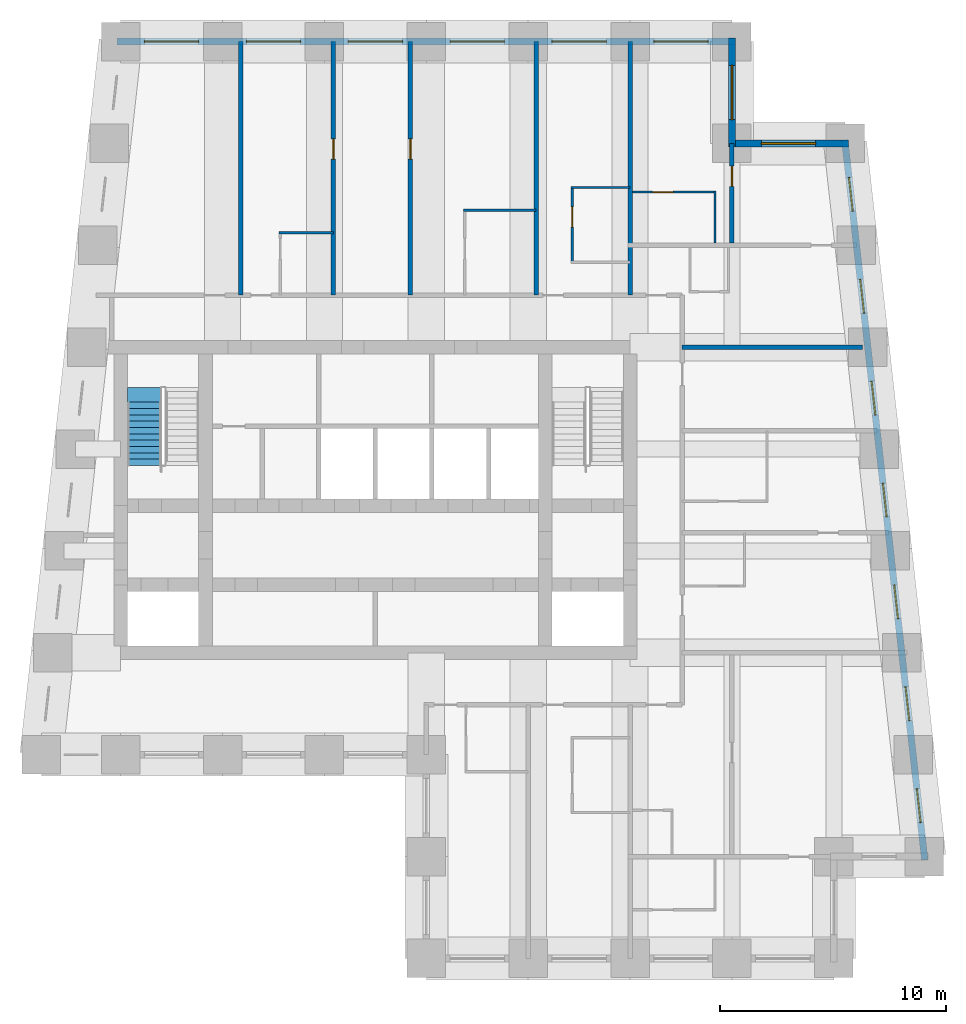
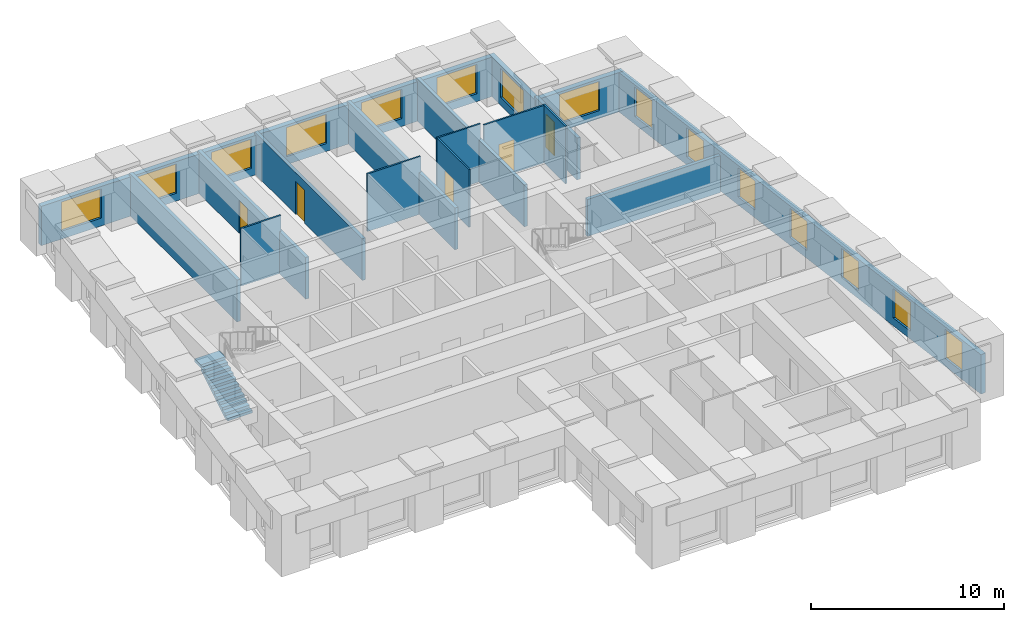
# One storey, part 5 of 7: 17 walls, 15 windows, 5 doors, 1 stair flight, 20 openings, 1 element without a shape of its own.
"""IFC4 building model written with IfcOpenShell, lengths in metres."""

from ifc_helpers import new_model, si_unit, direction, frame, frame_2d, origin, place, context, subcontext, project, spatial, polyline, rectangle, outline, extrude, material, layer, layer_set, type_object, element, fill, aggregate, save


model = new_model("IFC4")

# Units and contexts
model_context = context("Model", 3, precision=1e-05, world=origin(), true_north=direction((0.0, 1.0)))
body_context = subcontext(model_context, "Body", "Model", "MODEL_VIEW")
ifc_project = project(units=[si_unit("LENGTHUNIT", "METRE"), si_unit("AREAUNIT", "SQUARE_METRE"), si_unit("VOLUMEUNIT", "CUBIC_METRE"), si_unit("PLANEANGLEUNIT", "RADIAN"), si_unit("MASSUNIT", "GRAM", prefix="KILO")], contexts=[model_context])

# Site, building, storey
site_placement = place(None, origin())
site = spatial("IfcSite", under=ifc_project, at=site_placement, CompositionType="ELEMENT")
building_placement = place(site_placement, origin())
building = spatial("IfcBuilding", under=site, at=building_placement, Name="Kilele Tower Hotel", CompositionType="ELEMENT")
storey_placement = place(building_placement, frame((0.0, 0.0, 229.10009765625)))
storey = spatial("IfcBuildingStorey", under=building, at=storey_placement, Name="L59", CompositionType="ELEMENT", Elevation=229.10009765625)

# Walls
ifc_material_1 = material(Name="Moisture-resistant board")
ifc_layer_1 = layer(ifc_material_1, 0.10009765625)
ifc_layer_set_1 = layer_set([ifc_layer_1], Name="Moisture-resistant board")
wall_type_1 = type_object("IfcWallType", Name="Bathroom partition 100", PredefinedType="PLUMBINGWALL", material=ifc_layer_set_1)
wall_1_placement = place(storey_placement, frame((20.5, 32.050048828125, 0.0), z_axis=(0.0, 0.0, 1.0), x_axis=(1.0, 0.0, 0.0)))
element("IfcWall", 1, at=wall_1_placement, inside=storey, type_object=wall_type_1, Name="Bathroom partition 100 L59", PredefinedType="PLUMBINGWALL", context=body_context, shape_type="SweptSolid", body=[
    extrude(rectangle(XDim=2.39990234375, YDim=0.10009765625, at=frame_2d((1.199951171875, 0.0))), origin(), (0.0, 0.0, 1.0), 3.64990234375),
])
wall_2_placement = place(storey_placement, frame((28.64990234375, 33.050048828125, 0.0), z_axis=(0.0, 0.0, 1.0), x_axis=(1.0, 0.0, 0.0)))
element("IfcWall", 2, at=wall_2_placement, inside=storey, type_object=wall_type_1, Name="Bathroom partition 100 L59", PredefinedType="PLUMBINGWALL", context=body_context, shape_type="SweptSolid", body=[
    extrude(rectangle(XDim=3.2001953125, YDim=0.10009765625, at=frame_2d((1.60009765625, 0.0))), origin(), (0.0, 0.0, 1.0), 3.64990234375),
])
wall_3_placement = place(storey_placement, frame((33.39990234375, 34.050048828125, 0.0), z_axis=(0.0, 0.0, 1.0), x_axis=(1.0, 0.0, 0.0)))
element("IfcWall", 3, at=wall_3_placement, inside=storey, type_object=wall_type_1, Name="Bathroom partition 100 L59", PredefinedType="PLUMBINGWALL", context=body_context, shape_type="SweptSolid", body=[
    extrude(rectangle(XDim=2.60009765625, YDim=0.10009765625, at=frame_2d((1.300048828125, 0.0))), origin(), (0.0, 0.0, 1.0), 3.64990234375),
])

# Wall, opening, door
wall_4_placement = place(storey_placement, frame((33.449951171875, 30.699951171875, 0.0), z_axis=(0.0, 0.0, 1.0), x_axis=(0.0, 1.0, 0.0)))
wall_4 = element("IfcWall", 4, at=wall_4_placement, inside=storey, type_object=wall_type_1, Name="Bathroom partition 100 L59", PredefinedType="PLUMBINGWALL", context=body_context, shape_type="SweptSolid", body=[
    extrude(rectangle(XDim=3.400146484375, YDim=0.10009765625, at=frame_2d((1.7001953125, 0.0))), origin(), (0.0, 0.0, 1.0), 3.64990234375),
])
opening_1_placement = place(wall_4_placement, frame((1.60009765625, 0.0, 0.0)))
opening_1 = element("IfcOpeningElement", 5, at=opening_1_placement, cuts=wall_4, Name="Opening D2A", PredefinedType="OPENING", context=body_context, shape_type="SweptSolid", body=[
    extrude(rectangle(XDim=0.89990234375, YDim=2.10009765625, at=frame_2d((0.449951171875, 1.050048828125))), frame((0.0, 0.06005859375, 0.0), z_axis=(0.0, -1.0, 0.0), x_axis=(1.0, 0.0, 0.0)), (0.0, 0.0, 1.0), 0.1201171875),
])
ifc_material_2 = material(Name="Timber door leaf in hardwood frame", Category="wood")
door_type_1 = type_object("IfcDoorType", Name="Bathroom door 900", OperationType="SINGLE_SWING_LEFT", PredefinedType="DOOR", material=ifc_material_2)
door_1_placement = place(opening_1_placement, origin())
door_1 = element("IfcDoor", 6, at=door_1_placement, inside=storey, type_object=door_type_1, Name="Bathroom door 5911B", OperationType="SINGLE_SWING_RIGHT", OverallHeight=2.10009765625, OverallWidth=0.89990234375, PredefinedType="DOOR", context=body_context, shape_type="SweptSolid", body=[
    extrude(rectangle(XDim=0.89990234375, YDim=2.10009765625, at=frame_2d((0.449951171875, 1.050048828125))), frame((0.0, 0.02490234375, 0.0), z_axis=(0.0, -1.0, 0.0), x_axis=(1.0, 0.0, 0.0)), (0.0, 0.0, 1.0), 0.050048828125),
])
fill(opening_1, door_1)

# Wall
wall_5_placement = place(storey_placement, frame((39.75, 31.60009765625, 0.0), z_axis=(0.0, 0.0, 1.0), x_axis=(0.0, 1.0, 0.0)))
element("IfcWall", 7, at=wall_5_placement, inside=storey, type_object=wall_type_1, Name="Bathroom partition 100 L59", PredefinedType="PLUMBINGWALL", context=body_context, shape_type="SweptSolid", body=[
    extrude(rectangle(XDim=2.2998046875, YDim=0.10009765625, at=frame_2d((1.14990234375, 0.0))), origin(), (0.0, 0.0, 1.0), 3.64990234375),
])

# Wall, opening, door
wall_6_placement = place(storey_placement, frame((36.10009765625, 33.85009765625, 0.0), z_axis=(0.0, 0.0, 1.0), x_axis=(1.0, 0.0, 0.0)))
wall_6 = element("IfcWall", 8, at=wall_6_placement, inside=storey, type_object=wall_type_1, Name="Bathroom partition 100 L59", PredefinedType="PLUMBINGWALL", context=body_context, shape_type="SweptSolid", body=[
    extrude(rectangle(XDim=3.699951171875, YDim=0.10009765625, at=frame_2d((1.85009765625, 0.0))), origin(), (0.0, 0.0, 1.0), 3.64990234375),
])
opening_2_placement = place(wall_6_placement, frame((0.89990234375, 0.0, 0.0)))
opening_2 = element("IfcOpeningElement", 9, at=opening_2_placement, cuts=wall_6, Name="Opening D2A", PredefinedType="OPENING", context=body_context, shape_type="SweptSolid", body=[
    extrude(rectangle(XDim=0.89990234375, YDim=2.10009765625, at=frame_2d((0.449951171875, 1.050048828125))), frame((0.0, 0.06005859375, 0.0), z_axis=(0.0, -1.0, 0.0), x_axis=(1.0, 0.0, 0.0)), (0.0, 0.0, 1.0), 0.1201171875),
])
door_2_placement = place(opening_2_placement, origin())
door_2 = element("IfcDoor", 10, at=door_2_placement, inside=storey, type_object=door_type_1, Name="Bathroom door 5916B", OperationType="SINGLE_SWING_LEFT", OverallHeight=2.10009765625, OverallWidth=0.89990234375, PredefinedType="DOOR", context=body_context, shape_type="SweptSolid", body=[
    extrude(rectangle(XDim=0.89990234375, YDim=2.10009765625, at=frame_2d((0.449951171875, 1.050048828125))), frame((0.0, 0.02490234375, 0.0), z_axis=(0.0, -1.0, 0.0), x_axis=(1.0, 0.0, 0.0)), (0.0, 0.0, 1.0), 0.050048828125),
])
fill(opening_2, door_2)

ifc_material_3 = material(Name="Blockwork, plastered both sides", Category="masonry")
ifc_layer_2 = layer(ifc_material_3, 0.199951171875)
ifc_layer_set_2 = layer_set([ifc_layer_2], Name="Blockwork, plastered both sides")
wall_type_2 = type_object("IfcWallType", Name="Partition wall 200", PredefinedType="PARTITIONING", material=ifc_layer_set_2)
wall_7_placement = place(storey_placement, frame((40.5, 31.60009765625, 0.0), z_axis=(0.0, 0.0, 1.0), x_axis=(0.0, 1.0, 0.0)))
wall_7 = element("IfcWall", 11, at=wall_7_placement, inside=storey, type_object=wall_type_2, Name="Partition wall 200 L59", PredefinedType="PARTITIONING", context=body_context, shape_type="SweptSolid", body=[
    extrude(rectangle(XDim=4.39990234375, YDim=0.199951171875, at=frame_2d((2.199951171875, 0.0))), origin(), (0.0, 0.0, 1.0), 2.64990234375),
])
opening_3_placement = place(wall_7_placement, frame((2.5, 0.0, 0.0)))
opening_3 = element("IfcOpeningElement", 12, at=opening_3_placement, cuts=wall_7, Name="Opening D3", PredefinedType="OPENING", context=body_context, shape_type="SweptSolid", body=[
    extrude(rectangle(XDim=0.89990234375, YDim=2.10009765625, at=frame_2d((0.449951171875, 1.050048828125))), frame((0.0, 0.10986328125, 0.0), z_axis=(0.0, -1.0, 0.0), x_axis=(1.0, 0.0, 0.0)), (0.0, 0.0, 1.0), 0.219970703125),
])
ifc_material_4 = material(Name="Timber door leaf in hardwood frame", Category="wood")
door_type_2 = type_object("IfcDoorType", Name="Suite internal door 900", OperationType="SINGLE_SWING_LEFT", PredefinedType="DOOR", material=ifc_material_4)
door_3_placement = place(opening_3_placement, origin())
door_3 = element("IfcDoor", 13, at=door_3_placement, inside=storey, type_object=door_type_2, Name="Suite door 5917", OperationType="SINGLE_SWING_LEFT", OverallHeight=2.10009765625, OverallWidth=0.89990234375, PredefinedType="DOOR", context=body_context, shape_type="SweptSolid", body=[
    extrude(rectangle(XDim=0.89990234375, YDim=2.10009765625, at=frame_2d((0.449951171875, 1.050048828125))), frame((0.0, 0.02490234375, 0.0), z_axis=(0.0, -1.0, 0.0), x_axis=(1.0, 0.0, 0.0)), (0.0, 0.0, 1.0), 0.050048828125),
])
fill(opening_3, door_3)

# Wall
ifc_material_5 = material(Name="Blockwork, plastered both sides", Category="masonry")
ifc_layer_3 = layer(ifc_material_5, 0.199951171875)
ifc_layer_set_3 = layer_set([ifc_layer_3], Name="Blockwork, plastered both sides")
wall_type_3 = type_object("IfcWallType", Name="Party wall 200", PredefinedType="PARTITIONING", material=ifc_layer_set_3)
wall_8_placement = place(storey_placement, frame((18.800048828125, 29.300048828125, 0.0), z_axis=(0.0, 0.0, 1.0), x_axis=(0.0, 1.0, 0.0)))
element("IfcWall", 14, at=wall_8_placement, inside=storey, type_object=wall_type_3, Name="Party wall 200 L59", PredefinedType="PARTITIONING", context=body_context, shape_type="SweptSolid", body=[
    extrude(rectangle(XDim=11.199951171875, YDim=0.199951171875, at=frame_2d((5.60009765625, 0.0))), origin(), (0.0, 0.0, 1.0), 2.64990234375),
])

# Wall, opening, door
wall_9_placement = place(storey_placement, frame((22.89990234375, 29.300048828125, 0.0), z_axis=(0.0, 0.0, 1.0), x_axis=(0.0, 1.0, 0.0)))
wall_9 = element("IfcWall", 15, at=wall_9_placement, inside=storey, type_object=wall_type_3, Name="Party wall 200 L59", PredefinedType="PARTITIONING", context=body_context, shape_type="SweptSolid", body=[
    extrude(rectangle(XDim=11.199951171875, YDim=0.199951171875, at=frame_2d((5.60009765625, 0.0))), origin(), (0.0, 0.0, 1.0), 2.64990234375),
])
opening_4_placement = place(wall_9_placement, frame((6.0, 0.0, 0.0)))
opening_4 = element("IfcOpeningElement", 16, at=opening_4_placement, cuts=wall_9, Name="Opening D3", PredefinedType="OPENING", context=body_context, shape_type="SweptSolid", body=[
    extrude(rectangle(XDim=0.89990234375, YDim=2.10009765625, at=frame_2d((0.449951171875, 1.050048828125))), frame((0.0, 0.10986328125, 0.0), z_axis=(0.0, -1.0, 0.0), x_axis=(1.0, 0.0, 0.0)), (0.0, 0.0, 1.0), 0.219970703125),
])
door_4_placement = place(opening_4_placement, origin())
door_4 = element("IfcDoor", 17, at=door_4_placement, inside=storey, type_object=door_type_2, Name="Suite door 5909", OperationType="SINGLE_SWING_RIGHT", OverallHeight=2.10009765625, OverallWidth=0.89990234375, PredefinedType="DOOR", context=body_context, shape_type="SweptSolid", body=[
    extrude(rectangle(XDim=0.89990234375, YDim=2.10009765625, at=frame_2d((0.449951171875, 1.050048828125))), frame((0.0, 0.02490234375, 0.0), z_axis=(0.0, -1.0, 0.0), x_axis=(1.0, 0.0, 0.0)), (0.0, 0.0, 1.0), 0.050048828125),
])
fill(opening_4, door_4)

wall_10_placement = place(storey_placement, frame((26.300048828125, 29.300048828125, 0.0), z_axis=(0.0, 0.0, 1.0), x_axis=(0.0, 1.0, 0.0)))
wall_10 = element("IfcWall", 18, at=wall_10_placement, inside=storey, type_object=wall_type_3, Name="Party wall 200 L59", PredefinedType="PARTITIONING", context=body_context, shape_type="SweptSolid", body=[
    extrude(rectangle(XDim=11.199951171875, YDim=0.199951171875, at=frame_2d((5.60009765625, 0.0))), origin(), (0.0, 0.0, 1.0), 2.64990234375),
])
opening_5_placement = place(wall_10_placement, frame((6.0, 0.0, 0.0)))
opening_5 = element("IfcOpeningElement", 19, at=opening_5_placement, cuts=wall_10, Name="Opening D3", PredefinedType="OPENING", context=body_context, shape_type="SweptSolid", body=[
    extrude(rectangle(XDim=0.89990234375, YDim=2.10009765625, at=frame_2d((0.449951171875, 1.050048828125))), frame((0.0, 0.10986328125, 0.0), z_axis=(0.0, -1.0, 0.0), x_axis=(1.0, 0.0, 0.0)), (0.0, 0.0, 1.0), 0.219970703125),
])
door_5_placement = place(opening_5_placement, origin())
door_5 = element("IfcDoor", 20, at=door_5_placement, inside=storey, type_object=door_type_2, Name="Suite door 5910", OperationType="SINGLE_SWING_RIGHT", OverallHeight=2.10009765625, OverallWidth=0.89990234375, PredefinedType="DOOR", context=body_context, shape_type="SweptSolid", body=[
    extrude(rectangle(XDim=0.89990234375, YDim=2.10009765625, at=frame_2d((0.449951171875, 1.050048828125))), frame((0.0, 0.02490234375, 0.0), z_axis=(0.0, -1.0, 0.0), x_axis=(1.0, 0.0, 0.0)), (0.0, 0.0, 1.0), 0.050048828125),
])
fill(opening_5, door_5)

# Walls
wall_11_placement = place(storey_placement, frame((31.85009765625, 29.300048828125, 0.0), z_axis=(0.0, 0.0, 1.0), x_axis=(0.0, 1.0, 0.0)))
element("IfcWall", 21, at=wall_11_placement, inside=storey, type_object=wall_type_3, Name="Party wall 200 L59", PredefinedType="PARTITIONING", context=body_context, shape_type="SweptSolid", body=[
    extrude(rectangle(XDim=11.199951171875, YDim=0.199951171875, at=frame_2d((5.60009765625, 0.0))), origin(), (0.0, 0.0, 1.0), 2.64990234375),
])
wall_12_placement = place(storey_placement, frame((38.300048828125, 27.0, 0.0), z_axis=(0.0, 0.0, 1.0), x_axis=(1.0, 0.0, 0.0)))
element("IfcWall", 22, at=wall_12_placement, inside=storey, type_object=wall_type_3, Name="Party wall 200 L59", PredefinedType="PARTITIONING", context=body_context, shape_type="SweptSolid", body=[
    extrude(rectangle(XDim=7.976806640625, YDim=0.199951171875, at=frame_2d((3.98828125, 0.0))), origin(), (0.0, 0.0, 1.0), 2.349853515625),
])
wall_13_placement = place(storey_placement, frame((36.0, 29.300048828125, 0.0), z_axis=(0.0, 0.0, 1.0), x_axis=(0.0, 1.0, 0.0)))
element("IfcWall", 23, at=wall_13_placement, inside=storey, type_object=wall_type_3, Name="Party wall 200 L59", PredefinedType="PARTITIONING", context=body_context, shape_type="SweptSolid", body=[
    extrude(rectangle(XDim=11.199951171875, YDim=0.199951171875, at=frame_2d((5.60009765625, 0.0))), origin(), (0.0, 0.0, 1.0), 2.64990234375),
])

# Wall, openings, windows
ifc_material_6 = material(Name="Concrete C40/50 precast", Category="concrete")
ifc_layer_4 = layer(ifc_material_6, 0.260009765625, Name="Precast backing", Category="LoadBearing")
ifc_material_7 = material(Name="Reconstituted stone finish", Category="masonry")
ifc_layer_5 = layer(ifc_material_7, 0.0400390625, Name="Face mix", Category="Finish")
ifc_layer_set_4 = layer_set([ifc_layer_4, ifc_layer_5], Name="Precast concrete C40/50, reconstituted stone finish")
wall_type_4 = type_object("IfcWallType", Name="Precast stone facade wall 300", PredefinedType="STANDARD", material=ifc_layer_set_4)
wall_14_placement = place(storey_placement, frame((49.0166015625, 4.350830078125, 0.0), z_axis=(0.0, 0.0, 1.0), x_axis=(-0.110433201132, 0.993883548555, 0.0)))
wall_14 = element("IfcWall", 24, at=wall_14_placement, inside=storey, type_object=wall_type_4, Name="Facade wall L59 edge 6", PredefinedType="STANDARD", context=body_context, shape_type="SweptSolid", body=[
    extrude(rectangle(XDim=31.994140625, YDim=0.300048828125, at=frame_2d((15.9970703125, 0.0))), origin(), (0.0, 0.0, 1.0), 2.5),
])
opening_6_placement = place(wall_14_placement, frame((1.6640625, 0.0, 0.5)))
opening_6 = element("IfcOpeningElement", 25, at=opening_6_placement, cuts=wall_14, Name="Opening W4", PredefinedType="OPENING", context=body_context, shape_type="SweptSolid", body=[
    extrude(rectangle(XDim=1.5, YDim=1.85009765625, at=frame_2d((0.75, 0.925048828125))), frame((0.0, 0.159912109375, 0.0), z_axis=(0.0, -1.0, 0.0), x_axis=(1.0, 0.0, 0.0)), (0.0, 0.0, 1.0), 0.320068359375),
])
opening_7_placement = place(wall_14_placement, frame((6.19189453125, 0.0, 0.5)))
opening_7 = element("IfcOpeningElement", 26, at=opening_7_placement, cuts=wall_14, Name="Opening W4", PredefinedType="OPENING", context=body_context, shape_type="SweptSolid", body=[
    extrude(rectangle(XDim=1.5, YDim=1.85009765625, at=frame_2d((0.75, 0.925048828125))), frame((0.0, 0.159912109375, 0.0), z_axis=(0.0, -1.0, 0.0), x_axis=(1.0, 0.0, 0.0)), (0.0, 0.0, 1.0), 0.320068359375),
])
opening_8_placement = place(wall_14_placement, frame((10.718994140625, 0.0, 0.5)))
opening_8 = element("IfcOpeningElement", 27, at=opening_8_placement, cuts=wall_14, Name="Opening W4", PredefinedType="OPENING", context=body_context, shape_type="SweptSolid", body=[
    extrude(rectangle(XDim=1.5, YDim=1.85009765625, at=frame_2d((0.75, 0.925048828125))), frame((0.0, 0.159912109375, 0.0), z_axis=(0.0, -1.0, 0.0), x_axis=(1.0, 0.0, 0.0)), (0.0, 0.0, 1.0), 0.320068359375),
])
opening_9_placement = place(wall_14_placement, frame((15.2470703125, 0.0, 0.5)))
opening_9 = element("IfcOpeningElement", 28, at=opening_9_placement, cuts=wall_14, Name="Opening W4", PredefinedType="OPENING", context=body_context, shape_type="SweptSolid", body=[
    extrude(rectangle(XDim=1.5, YDim=1.85009765625, at=frame_2d((0.75, 0.925048828125))), frame((0.0, 0.159912109375, 0.0), z_axis=(0.0, -1.0, 0.0), x_axis=(1.0, 0.0, 0.0)), (0.0, 0.0, 1.0), 0.320068359375),
])
opening_10_placement = place(wall_14_placement, frame((19.77490234375, 0.0, 0.5)))
opening_10 = element("IfcOpeningElement", 29, at=opening_10_placement, cuts=wall_14, Name="Opening W4", PredefinedType="OPENING", context=body_context, shape_type="SweptSolid", body=[
    extrude(rectangle(XDim=1.5, YDim=1.85009765625, at=frame_2d((0.75, 0.925048828125))), frame((0.0, 0.159912109375, 0.0), z_axis=(0.0, -1.0, 0.0), x_axis=(1.0, 0.0, 0.0)), (0.0, 0.0, 1.0), 0.320068359375),
])
opening_11_placement = place(wall_14_placement, frame((24.302001953125, 0.0, 0.5)))
opening_11 = element("IfcOpeningElement", 30, at=opening_11_placement, cuts=wall_14, Name="Opening W4", PredefinedType="OPENING", context=body_context, shape_type="SweptSolid", body=[
    extrude(rectangle(XDim=1.5, YDim=1.85009765625, at=frame_2d((0.75, 0.925048828125))), frame((0.0, 0.159912109375, 0.0), z_axis=(0.0, -1.0, 0.0), x_axis=(1.0, 0.0, 0.0)), (0.0, 0.0, 1.0), 0.320068359375),
])
opening_12_placement = place(wall_14_placement, frame((28.830078125, 0.0, 0.5)))
opening_12 = element("IfcOpeningElement", 31, at=opening_12_placement, cuts=wall_14, Name="Opening W4", PredefinedType="OPENING", context=body_context, shape_type="SweptSolid", body=[
    extrude(rectangle(XDim=1.5, YDim=1.85009765625, at=frame_2d((0.75, 0.925048828125))), frame((0.0, 0.159912109375, 0.0), z_axis=(0.0, -1.0, 0.0), x_axis=(1.0, 0.0, 0.0)), (0.0, 0.0, 1.0), 0.320068359375),
])
ifc_material_8 = material(Name="Aluminium frame, clear double glazing", Category="aluminium")
window_type_1 = type_object("IfcWindowType", Name="Window W4 1500 x 1850", PartitioningType="SINGLE_PANEL", PredefinedType="WINDOW", material=ifc_material_8)
window_1_placement = place(opening_6_placement, origin())
window_1 = element("IfcWindow", 32, at=window_1_placement, inside=storey, type_object=window_type_1, Name="Window L59", OverallHeight=1.85009765625, OverallWidth=1.5, PartitioningType="SINGLE_PANEL", PredefinedType="WINDOW", context=body_context, shape_type="SweptSolid", body=[
    extrude(rectangle(XDim=1.5, YDim=1.85009765625, at=frame_2d((0.75, 0.925048828125))), frame((0.0, 0.030029296875, 0.0), z_axis=(0.0, -1.0, 0.0), x_axis=(1.0, 0.0, 0.0)), (0.0, 0.0, 1.0), 0.06005859375),
])
fill(opening_6, window_1)
window_2_placement = place(opening_7_placement, origin())
window_2 = element("IfcWindow", 33, at=window_2_placement, inside=storey, type_object=window_type_1, Name="Window L59", OverallHeight=1.85009765625, OverallWidth=1.5, PartitioningType="SINGLE_PANEL", PredefinedType="WINDOW", context=body_context, shape_type="SweptSolid", body=[
    extrude(rectangle(XDim=1.5, YDim=1.85009765625, at=frame_2d((0.75, 0.925048828125))), frame((0.0, 0.030029296875, 0.0), z_axis=(0.0, -1.0, 0.0), x_axis=(1.0, 0.0, 0.0)), (0.0, 0.0, 1.0), 0.06005859375),
])
fill(opening_7, window_2)
window_3_placement = place(opening_8_placement, origin())
window_3 = element("IfcWindow", 34, at=window_3_placement, inside=storey, type_object=window_type_1, Name="Window L59", OverallHeight=1.85009765625, OverallWidth=1.5, PartitioningType="SINGLE_PANEL", PredefinedType="WINDOW", context=body_context, shape_type="SweptSolid", body=[
    extrude(rectangle(XDim=1.5, YDim=1.85009765625, at=frame_2d((0.75, 0.925048828125))), frame((0.0, 0.030029296875, 0.0), z_axis=(0.0, -1.0, 0.0), x_axis=(1.0, 0.0, 0.0)), (0.0, 0.0, 1.0), 0.06005859375),
])
fill(opening_8, window_3)
window_4_placement = place(opening_9_placement, origin())
window_4 = element("IfcWindow", 35, at=window_4_placement, inside=storey, type_object=window_type_1, Name="Window L59", OverallHeight=1.85009765625, OverallWidth=1.5, PartitioningType="SINGLE_PANEL", PredefinedType="WINDOW", context=body_context, shape_type="SweptSolid", body=[
    extrude(rectangle(XDim=1.5, YDim=1.85009765625, at=frame_2d((0.75, 0.925048828125))), frame((0.0, 0.030029296875, 0.0), z_axis=(0.0, -1.0, 0.0), x_axis=(1.0, 0.0, 0.0)), (0.0, 0.0, 1.0), 0.06005859375),
])
fill(opening_9, window_4)
window_5_placement = place(opening_10_placement, origin())
window_5 = element("IfcWindow", 36, at=window_5_placement, inside=storey, type_object=window_type_1, Name="Window L59", OverallHeight=1.85009765625, OverallWidth=1.5, PartitioningType="SINGLE_PANEL", PredefinedType="WINDOW", context=body_context, shape_type="SweptSolid", body=[
    extrude(rectangle(XDim=1.5, YDim=1.85009765625, at=frame_2d((0.75, 0.925048828125))), frame((0.0, 0.030029296875, 0.0), z_axis=(0.0, -1.0, 0.0), x_axis=(1.0, 0.0, 0.0)), (0.0, 0.0, 1.0), 0.06005859375),
])
fill(opening_10, window_5)
window_6_placement = place(opening_11_placement, origin())
window_6 = element("IfcWindow", 37, at=window_6_placement, inside=storey, type_object=window_type_1, Name="Window L59", OverallHeight=1.85009765625, OverallWidth=1.5, PartitioningType="SINGLE_PANEL", PredefinedType="WINDOW", context=body_context, shape_type="SweptSolid", body=[
    extrude(rectangle(XDim=1.5, YDim=1.85009765625, at=frame_2d((0.75, 0.925048828125))), frame((0.0, 0.030029296875, 0.0), z_axis=(0.0, -1.0, 0.0), x_axis=(1.0, 0.0, 0.0)), (0.0, 0.0, 1.0), 0.06005859375),
])
fill(opening_11, window_6)
window_7_placement = place(opening_12_placement, origin())
window_7 = element("IfcWindow", 38, at=window_7_placement, inside=storey, type_object=window_type_1, Name="Window L59", OverallHeight=1.85009765625, OverallWidth=1.5, PartitioningType="SINGLE_PANEL", PredefinedType="WINDOW", context=body_context, shape_type="SweptSolid", body=[
    extrude(rectangle(XDim=1.5, YDim=1.85009765625, at=frame_2d((0.75, 0.925048828125))), frame((0.0, 0.030029296875, 0.0), z_axis=(0.0, -1.0, 0.0), x_axis=(1.0, 0.0, 0.0)), (0.0, 0.0, 1.0), 0.06005859375),
])
fill(opening_12, window_7)

# Wall, opening, window
wall_15_placement = place(storey_placement, frame((45.64990234375, 36.0, 0.0), z_axis=(0.0, 0.0, 1.0), x_axis=(-1.0, 0.0, 0.0)))
wall_15 = element("IfcWall", 39, at=wall_15_placement, inside=storey, type_object=wall_type_4, Name="Facade wall L59 edge 7", PredefinedType="STANDARD", context=body_context, shape_type="SweptSolid", body=[
    extrude(rectangle(XDim=5.2998046875, YDim=0.300048828125, at=frame_2d((2.64990234375, 0.0))), origin(), (0.0, 0.0, 1.0), 2.5),
])
opening_13_placement = place(wall_15_placement, frame((1.449951171875, 0.0, 0.5)))
opening_13 = element("IfcOpeningElement", 40, at=opening_13_placement, cuts=wall_15, Name="Opening W4", PredefinedType="OPENING", context=body_context, shape_type="SweptSolid", body=[
    extrude(rectangle(XDim=2.39990234375, YDim=1.85009765625, at=frame_2d((1.199951171875, 0.925048828125))), frame((0.0, 0.159912109375, 0.0), z_axis=(0.0, -1.0, 0.0), x_axis=(1.0, 0.0, 0.0)), (0.0, 0.0, 1.0), 0.320068359375),
])
ifc_material_9 = material(Name="Aluminium frame, clear double glazing", Category="aluminium")
window_type_2 = type_object("IfcWindowType", Name="Window W4 2400 x 1850", PartitioningType="SINGLE_PANEL", PredefinedType="WINDOW", material=ifc_material_9)
window_8_placement = place(opening_13_placement, origin())
window_8 = element("IfcWindow", 41, at=window_8_placement, inside=storey, type_object=window_type_2, Name="Window L59", OverallHeight=1.85009765625, OverallWidth=2.39990234375, PartitioningType="SINGLE_PANEL", PredefinedType="WINDOW", context=body_context, shape_type="SweptSolid", body=[
    extrude(rectangle(XDim=2.39990234375, YDim=1.85009765625, at=frame_2d((1.199951171875, 0.925048828125))), frame((0.0, 0.030029296875, 0.0), z_axis=(0.0, -1.0, 0.0), x_axis=(1.0, 0.0, 0.0)), (0.0, 0.0, 1.0), 0.06005859375),
])
fill(opening_13, window_8)

wall_16_placement = place(storey_placement, frame((40.5, 35.85009765625, 0.0), z_axis=(0.0, 0.0, 1.0), x_axis=(0.0, 1.0, 0.0)))
wall_16 = element("IfcWall", 42, at=wall_16_placement, inside=storey, type_object=wall_type_4, Name="Facade wall L59 edge 8", PredefinedType="STANDARD", context=body_context, shape_type="SweptSolid", body=[
    extrude(rectangle(XDim=4.7998046875, YDim=0.300048828125, at=frame_2d((2.39990234375, 0.0))), origin(), (0.0, 0.0, 1.0), 2.5),
])
opening_14_placement = place(wall_16_placement, frame((1.199951171875, 0.0, 0.5)))
opening_14 = element("IfcOpeningElement", 43, at=opening_14_placement, cuts=wall_16, Name="Opening W4", PredefinedType="OPENING", context=body_context, shape_type="SweptSolid", body=[
    extrude(rectangle(XDim=2.39990234375, YDim=1.85009765625, at=frame_2d((1.199951171875, 0.925048828125))), frame((0.0, 0.159912109375, 0.0), z_axis=(0.0, -1.0, 0.0), x_axis=(1.0, 0.0, 0.0)), (0.0, 0.0, 1.0), 0.320068359375),
])
window_9_placement = place(opening_14_placement, origin())
window_9 = element("IfcWindow", 44, at=window_9_placement, inside=storey, type_object=window_type_2, Name="Window L59", OverallHeight=1.85009765625, OverallWidth=2.39990234375, PartitioningType="SINGLE_PANEL", PredefinedType="WINDOW", context=body_context, shape_type="SweptSolid", body=[
    extrude(rectangle(XDim=2.39990234375, YDim=1.85009765625, at=frame_2d((1.199951171875, 0.925048828125))), frame((0.0, 0.030029296875, 0.0), z_axis=(0.0, -1.0, 0.0), x_axis=(1.0, 0.0, 0.0)), (0.0, 0.0, 1.0), 0.06005859375),
])
fill(opening_14, window_9)

# Wall, openings, windows
wall_17_placement = place(storey_placement, frame((40.64990234375, 40.5, 0.0), z_axis=(0.0, 0.0, 1.0), x_axis=(-1.0, 0.0, 0.0)))
wall_17 = element("IfcWall", 45, at=wall_17_placement, inside=storey, type_object=wall_type_4, Name="Facade wall L59 edge 9", PredefinedType="STANDARD", context=body_context, shape_type="SweptSolid", body=[
    extrude(rectangle(XDim=27.2998046875, YDim=0.300048828125, at=frame_2d((13.64990234375, 0.0))), origin(), (0.0, 0.0, 1.0), 2.5),
])
opening_15_placement = place(wall_17_placement, frame((1.199951171875, 0.0, 0.5)))
opening_15 = element("IfcOpeningElement", 46, at=opening_15_placement, cuts=wall_17, Name="Opening W4", PredefinedType="OPENING", context=body_context, shape_type="SweptSolid", body=[
    extrude(rectangle(XDim=2.39990234375, YDim=1.85009765625, at=frame_2d((1.199951171875, 0.925048828125))), frame((0.0, 0.159912109375, 0.0), z_axis=(0.0, -1.0, 0.0), x_axis=(1.0, 0.0, 0.0)), (0.0, 0.0, 1.0), 0.320068359375),
])
opening_16_placement = place(wall_17_placement, frame((5.699951171875, 0.0, 0.5)))
opening_16 = element("IfcOpeningElement", 47, at=opening_16_placement, cuts=wall_17, Name="Opening W4", PredefinedType="OPENING", context=body_context, shape_type="SweptSolid", body=[
    extrude(rectangle(XDim=2.39990234375, YDim=1.85009765625, at=frame_2d((1.199951171875, 0.925048828125))), frame((0.0, 0.159912109375, 0.0), z_axis=(0.0, -1.0, 0.0), x_axis=(1.0, 0.0, 0.0)), (0.0, 0.0, 1.0), 0.320068359375),
])
opening_17_placement = place(wall_17_placement, frame((10.199951171875, 0.0, 0.5)))
opening_17 = element("IfcOpeningElement", 48, at=opening_17_placement, cuts=wall_17, Name="Opening W4", PredefinedType="OPENING", context=body_context, shape_type="SweptSolid", body=[
    extrude(rectangle(XDim=2.39990234375, YDim=1.85009765625, at=frame_2d((1.199951171875, 0.925048828125))), frame((0.0, 0.159912109375, 0.0), z_axis=(0.0, -1.0, 0.0), x_axis=(1.0, 0.0, 0.0)), (0.0, 0.0, 1.0), 0.320068359375),
])
opening_18_placement = place(wall_17_placement, frame((14.699951171875, 0.0, 0.5)))
opening_18 = element("IfcOpeningElement", 49, at=opening_18_placement, cuts=wall_17, Name="Opening W4", PredefinedType="OPENING", context=body_context, shape_type="SweptSolid", body=[
    extrude(rectangle(XDim=2.39990234375, YDim=1.85009765625, at=frame_2d((1.199951171875, 0.925048828125))), frame((0.0, 0.159912109375, 0.0), z_axis=(0.0, -1.0, 0.0), x_axis=(1.0, 0.0, 0.0)), (0.0, 0.0, 1.0), 0.320068359375),
])
opening_19_placement = place(wall_17_placement, frame((19.199951171875, 0.0, 0.5)))
opening_19 = element("IfcOpeningElement", 50, at=opening_19_placement, cuts=wall_17, Name="Opening W4", PredefinedType="OPENING", context=body_context, shape_type="SweptSolid", body=[
    extrude(rectangle(XDim=2.39990234375, YDim=1.85009765625, at=frame_2d((1.199951171875, 0.925048828125))), frame((0.0, 0.159912109375, 0.0), z_axis=(0.0, -1.0, 0.0), x_axis=(1.0, 0.0, 0.0)), (0.0, 0.0, 1.0), 0.320068359375),
])
opening_20_placement = place(wall_17_placement, frame((23.699951171875, 0.0, 0.5)))
opening_20 = element("IfcOpeningElement", 51, at=opening_20_placement, cuts=wall_17, Name="Opening W4", PredefinedType="OPENING", context=body_context, shape_type="SweptSolid", body=[
    extrude(rectangle(XDim=2.39990234375, YDim=1.85009765625, at=frame_2d((1.199951171875, 0.925048828125))), frame((0.0, 0.159912109375, 0.0), z_axis=(0.0, -1.0, 0.0), x_axis=(1.0, 0.0, 0.0)), (0.0, 0.0, 1.0), 0.320068359375),
])
window_10_placement = place(opening_15_placement, origin())
window_10 = element("IfcWindow", 52, at=window_10_placement, inside=storey, type_object=window_type_2, Name="Window L59", OverallHeight=1.85009765625, OverallWidth=2.39990234375, PartitioningType="SINGLE_PANEL", PredefinedType="WINDOW", context=body_context, shape_type="SweptSolid", body=[
    extrude(rectangle(XDim=2.39990234375, YDim=1.85009765625, at=frame_2d((1.199951171875, 0.925048828125))), frame((0.0, 0.030029296875, 0.0), z_axis=(0.0, -1.0, 0.0), x_axis=(1.0, 0.0, 0.0)), (0.0, 0.0, 1.0), 0.06005859375),
])
fill(opening_15, window_10)
window_11_placement = place(opening_16_placement, origin())
window_11 = element("IfcWindow", 53, at=window_11_placement, inside=storey, type_object=window_type_2, Name="Window L59", OverallHeight=1.85009765625, OverallWidth=2.39990234375, PartitioningType="SINGLE_PANEL", PredefinedType="WINDOW", context=body_context, shape_type="SweptSolid", body=[
    extrude(rectangle(XDim=2.39990234375, YDim=1.85009765625, at=frame_2d((1.199951171875, 0.925048828125))), frame((0.0, 0.030029296875, 0.0), z_axis=(0.0, -1.0, 0.0), x_axis=(1.0, 0.0, 0.0)), (0.0, 0.0, 1.0), 0.06005859375),
])
fill(opening_16, window_11)
window_12_placement = place(opening_17_placement, origin())
window_12 = element("IfcWindow", 54, at=window_12_placement, inside=storey, type_object=window_type_2, Name="Window L59", OverallHeight=1.85009765625, OverallWidth=2.39990234375, PartitioningType="SINGLE_PANEL", PredefinedType="WINDOW", context=body_context, shape_type="SweptSolid", body=[
    extrude(rectangle(XDim=2.39990234375, YDim=1.85009765625, at=frame_2d((1.199951171875, 0.925048828125))), frame((0.0, 0.030029296875, 0.0), z_axis=(0.0, -1.0, 0.0), x_axis=(1.0, 0.0, 0.0)), (0.0, 0.0, 1.0), 0.06005859375),
])
fill(opening_17, window_12)
window_13_placement = place(opening_18_placement, origin())
window_13 = element("IfcWindow", 55, at=window_13_placement, inside=storey, type_object=window_type_2, Name="Window L59", OverallHeight=1.85009765625, OverallWidth=2.39990234375, PartitioningType="SINGLE_PANEL", PredefinedType="WINDOW", context=body_context, shape_type="SweptSolid", body=[
    extrude(rectangle(XDim=2.39990234375, YDim=1.85009765625, at=frame_2d((1.199951171875, 0.925048828125))), frame((0.0, 0.030029296875, 0.0), z_axis=(0.0, -1.0, 0.0), x_axis=(1.0, 0.0, 0.0)), (0.0, 0.0, 1.0), 0.06005859375),
])
fill(opening_18, window_13)
window_14_placement = place(opening_19_placement, origin())
window_14 = element("IfcWindow", 56, at=window_14_placement, inside=storey, type_object=window_type_2, Name="Window L59", OverallHeight=1.85009765625, OverallWidth=2.39990234375, PartitioningType="SINGLE_PANEL", PredefinedType="WINDOW", context=body_context, shape_type="SweptSolid", body=[
    extrude(rectangle(XDim=2.39990234375, YDim=1.85009765625, at=frame_2d((1.199951171875, 0.925048828125))), frame((0.0, 0.030029296875, 0.0), z_axis=(0.0, -1.0, 0.0), x_axis=(1.0, 0.0, 0.0)), (0.0, 0.0, 1.0), 0.06005859375),
])
fill(opening_19, window_14)
window_15_placement = place(opening_20_placement, origin())
window_15 = element("IfcWindow", 57, at=window_15_placement, inside=storey, type_object=window_type_2, Name="Window L59", OverallHeight=1.85009765625, OverallWidth=2.39990234375, PartitioningType="SINGLE_PANEL", PredefinedType="WINDOW", context=body_context, shape_type="SweptSolid", body=[
    extrude(rectangle(XDim=2.39990234375, YDim=1.85009765625, at=frame_2d((1.199951171875, 0.925048828125))), frame((0.0, 0.030029296875, 0.0), z_axis=(0.0, -1.0, 0.0), x_axis=(1.0, 0.0, 0.0)), (0.0, 0.0, 1.0), 0.06005859375),
])
fill(opening_20, window_15)

# Stair, stair flight
ifc_material_10 = material(Name="Precast concrete C40/50", Category="concrete")
stair_type = type_object("IfcStairType", Name="Stair 1475 x 3900", PredefinedType="HALF_TURN_STAIR", material=ifc_material_10)
stair_placement = place(storey_placement, origin())
stair = element("IfcStair", 58, at=stair_placement, inside=storey, type_object=stair_type, Name="Stair 1 L59", PredefinedType="HALF_TURN_STAIR")
ifc_material_11 = material(Name="Precast concrete C40/50", Category="concrete")
stair_flight_type = type_object("IfcStairFlightType", Name="Flight 1475 riser 169.6", PredefinedType="STRAIGHT", material=ifc_material_11)
stair_flight_placement = place(storey_placement, frame((14.53759765625, 21.77490234375, 0.0), z_axis=(0.0, 0.0, 1.0), x_axis=(0.0, 1.0, 0.0)))
stair_flight = element("IfcStairFlight", 59, at=stair_flight_placement, type_object=stair_flight_type, Name="ST1 flight 1", NumberOfRisers=11, NumberOfTreads=10, PredefinedType="STRAIGHT", RiserHeight=0.169565217, TreadLength=0.28, context=body_context, shape_type="SweptSolid", body=[
    extrude(outline(polyline([(0.0, 0.0), (0.0, 0.169677734375), (0.280029296875, 0.169677734375), (0.280029296875, 0.339111328125), (0.56005859375, 0.339111328125), (0.56005859375, 0.5087890625), (0.840087890625, 0.5087890625), (0.840087890625, 0.67822265625), (1.1201171875, 0.67822265625), (1.1201171875, 0.847900390625), (1.39990234375, 0.847900390625), (1.39990234375, 1.017333984375), (1.679931640625, 1.017333984375), (1.679931640625, 1.18701171875), (1.9599609375, 1.18701171875), (1.9599609375, 1.3564453125), (2.239990234375, 1.3564453125), (2.239990234375, 1.526123046875), (2.52001953125, 1.526123046875), (2.52001953125, 1.695556640625), (2.800048828125, 1.695556640625), (2.800048828125, 1.865234375), (2.800048828125, 1.5205078125), (0.289306640625, 0.0), (0.0, 0.0)])), frame((0.0, 0.737548828125, 0.0), z_axis=(0.0, -1.0, 0.0), x_axis=(1.0, 0.0, 0.0)), (0.0, 0.0, 1.0), 1.47509765625),
    extrude(outline(polyline([(2.800048828125, 0.737548828125), (2.800048828125, -0.7373046875), (3.4501953125, -0.7373046875), (3.4501953125, 0.737548828125), (2.800048828125, 0.737548828125)])), frame((0.0, 0.0, 1.6650390625)), (0.0, 0.0, 1.0), 0.199951171875),
])
aggregate(stair, [stair_flight])

save(model, "model.ifc")
